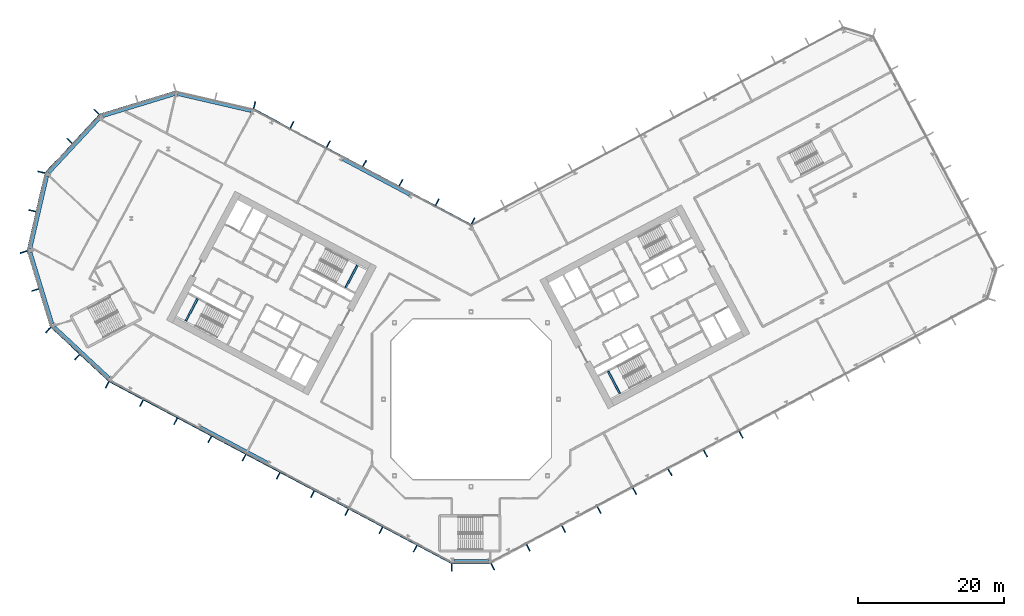
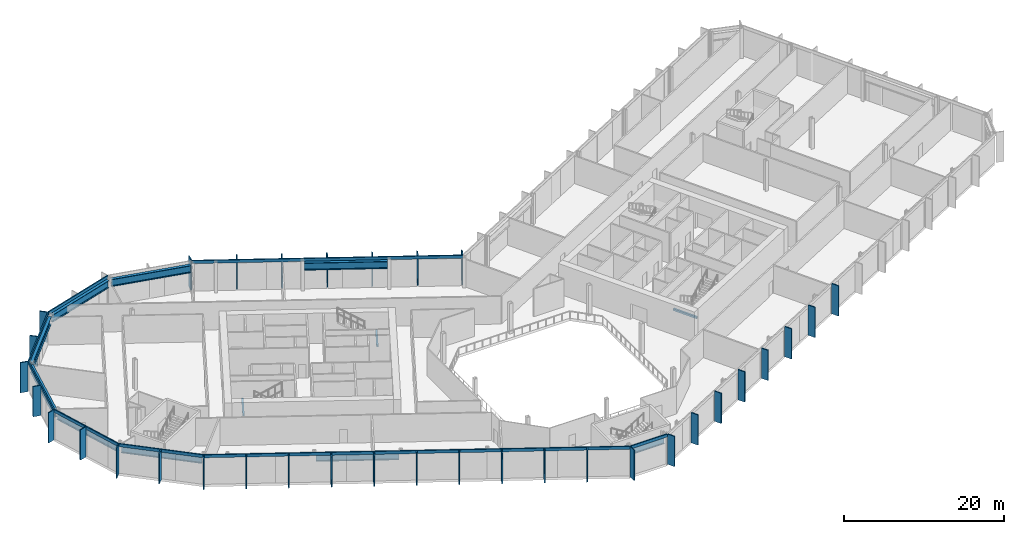
# One storey, part 7 of 31: 42 members, 12 beams, 10 elements without a shape of their own.
"""IFC4 building model written with IfcOpenShell, lengths in metres."""

from ifc_helpers import new_model, si_unit, direction, frame, origin, origin_2d, place, context, subcontext, project, spatial, rectangle, i_section, extrude, material, layer, layer_set, material_profile, profile_set, type_object, element, aggregate, save


model = new_model("IFC4")

# Units and contexts
model_context = context("Model", 3, precision=1e-05, world=origin(), true_north=direction((0.0, 1.0)))
body_context = subcontext(model_context, "Body", "Model", "MODEL_VIEW")
ifc_project = project(units=[si_unit("LENGTHUNIT", "METRE"), si_unit("AREAUNIT", "SQUARE_METRE"), si_unit("VOLUMEUNIT", "CUBIC_METRE"), si_unit("PLANEANGLEUNIT", "RADIAN"), si_unit("MASSUNIT", "GRAM", prefix="KILO")], contexts=[model_context])

# Site, building, storey
site_placement = place(None, origin())
site = spatial("IfcSite", under=ifc_project, at=site_placement, CompositionType="ELEMENT")
building_placement = place(site_placement, origin())
building = spatial("IfcBuilding", under=site, at=building_placement, Name="Cormorant Relay Tower", CompositionType="ELEMENT")
storey_placement = place(building_placement, frame((0.0, 0.0, 93.800048828125)))
storey = spatial("IfcBuildingStorey", under=building, at=storey_placement, Name="L18", CompositionType="ELEMENT", Elevation=93.800048828125)

# Curtain wall, member
ifc_material_1 = material(Name="Aluminium 6063-T6 anodised bronze", Category="aluminium")
ifc_layer = layer(ifc_material_1, 0.199951171875)
ifc_layer_set = layer_set([ifc_layer], Name="CW1 unitised bronze curtain wall with vertical fins")
curtain_wall_type = type_object("IfcCurtainWallType", Name="CW1 unitised bronze curtain wall with vertical fins", PredefinedType="NOTDEFINED", material=ifc_layer_set)
curtain_wall_1_placement = place(storey_placement, origin())
curtain_wall_1 = element("IfcCurtainWall", 1, at=curtain_wall_1_placement, inside=storey, type_object=curtain_wall_type, Name="CW1 curtain wall 1", PredefinedType="NOTDEFINED")
ifc_material_2 = material(Name="Aluminium 6063-T6 anodised bronze", Category="aluminium")
ifc_material_profile_1 = material_profile(ifc_material_2, rectangle(XDim=0.14990234375, YDim=1.0, at=origin_2d()), Name="AL 150x1000")
ifc_profile_set_1 = profile_set([ifc_material_profile_1], Name="Aluminium 6063-T6 anodised bronze")
member_type_1 = type_object("IfcMemberType", Name="CW1 bronze fin mullion 150 x 1000", PredefinedType="MULLION", material=ifc_profile_set_1)
member_1_placement = place(storey_placement, frame((-2.648681640625, -23.07568359375, 0.0), z_axis=(0.0, 0.0, 1.0), x_axis=(1.0, 0.0, 0.0)))
member_1 = element("IfcMember", 2, at=member_1_placement, type_object=member_type_1, Name="CW1 fin 1.1", PredefinedType="MULLION", context=body_context, shape_type="SweptSolid", body=[
    extrude(rectangle(XDim=0.14990234375, YDim=1.0, at=origin_2d()), origin(), (0.0, 0.0, 1.0), 4.599853515625),
])

# Curtain wall, members
curtain_wall_2_placement = place(storey_placement, origin())
curtain_wall_2 = element("IfcCurtainWall", 3, at=curtain_wall_2_placement, inside=storey, type_object=curtain_wall_type, Name="CW1 curtain wall 2", PredefinedType="NOTDEFINED")
member_2_placement = place(storey_placement, frame((2.9775390625, -22.99365234375, 0.0), z_axis=(0.0, 0.0, 1.0), x_axis=(0.882947592859, 0.469471562786, 0.0)))
member_2 = element("IfcMember", 4, at=member_2_placement, type_object=member_type_1, Name="CW1 fin 2.1", PredefinedType="MULLION", context=body_context, shape_type="SweptSolid", body=[
    extrude(rectangle(XDim=0.14990234375, YDim=1.0, at=origin_2d()), origin(), (0.0, 0.0, 1.0), 4.599853515625),
])
member_3_placement = place(storey_placement, frame((7.843994140625, -20.406005859375, 0.0), z_axis=(0.0, 0.0, 1.0), x_axis=(0.882947592859, 0.469471562786, 0.0)))
member_3 = element("IfcMember", 5, at=member_3_placement, type_object=member_type_1, Name="CW1 fin 2.2", PredefinedType="MULLION", context=body_context, shape_type="SweptSolid", body=[
    extrude(rectangle(XDim=0.14990234375, YDim=1.0, at=origin_2d()), origin(), (0.0, 0.0, 1.0), 4.599853515625),
])
member_4_placement = place(storey_placement, frame((12.710693359375, -17.818359375, 0.0), z_axis=(0.0, 0.0, 1.0), x_axis=(0.882947592859, 0.469471562786, 0.0)))
member_4 = element("IfcMember", 6, at=member_4_placement, type_object=member_type_1, Name="CW1 fin 2.3", PredefinedType="MULLION", context=body_context, shape_type="SweptSolid", body=[
    extrude(rectangle(XDim=0.14990234375, YDim=1.0, at=origin_2d()), origin(), (0.0, 0.0, 1.0), 4.599853515625),
])
member_5_placement = place(storey_placement, frame((17.577392578125, -15.230712890625, 0.0), z_axis=(0.0, 0.0, 1.0), x_axis=(0.882947592859, 0.469471562786, 0.0)))
member_5 = element("IfcMember", 7, at=member_5_placement, type_object=member_type_1, Name="CW1 fin 2.4", PredefinedType="MULLION", context=body_context, shape_type="SweptSolid", body=[
    extrude(rectangle(XDim=0.14990234375, YDim=1.0, at=origin_2d()), origin(), (0.0, 0.0, 1.0), 4.599853515625),
])
member_6_placement = place(storey_placement, frame((22.444091796875, -12.64306640625, 0.0), z_axis=(0.0, 0.0, 1.0), x_axis=(0.882947592859, 0.469471562786, 0.0)))
member_6 = element("IfcMember", 8, at=member_6_placement, type_object=member_type_1, Name="CW1 fin 2.5", PredefinedType="MULLION", context=body_context, shape_type="SweptSolid", body=[
    extrude(rectangle(XDim=0.14990234375, YDim=1.0, at=origin_2d()), origin(), (0.0, 0.0, 1.0), 4.599853515625),
])
member_7_placement = place(storey_placement, frame((27.310791015625, -10.055419921875, 0.0), z_axis=(0.0, 0.0, 1.0), x_axis=(0.882947592859, 0.469471562786, 0.0)))
member_7 = element("IfcMember", 9, at=member_7_placement, type_object=member_type_1, Name="CW1 fin 2.6", PredefinedType="MULLION", context=body_context, shape_type="SweptSolid", body=[
    extrude(rectangle(XDim=0.14990234375, YDim=1.0, at=origin_2d()), origin(), (0.0, 0.0, 1.0), 4.599853515625),
])
member_8_placement = place(storey_placement, frame((32.177490234375, -7.4677734375, 0.0), z_axis=(0.0, 0.0, 1.0), x_axis=(0.882947592859, 0.469471562786, 0.0)))
member_8 = element("IfcMember", 10, at=member_8_placement, type_object=member_type_1, Name="CW1 fin 2.7", PredefinedType="MULLION", context=body_context, shape_type="SweptSolid", body=[
    extrude(rectangle(XDim=0.14990234375, YDim=1.0, at=origin_2d()), origin(), (0.0, 0.0, 1.0), 4.599853515625),
])
member_9_placement = place(storey_placement, frame((37.044189453125, -4.8798828125, 0.0), z_axis=(0.0, 0.0, 1.0), x_axis=(0.882947592859, 0.469471562786, 0.0)))
member_9 = element("IfcMember", 11, at=member_9_placement, type_object=member_type_1, Name="CW1 fin 2.8", PredefinedType="MULLION", context=body_context, shape_type="SweptSolid", body=[
    extrude(rectangle(XDim=0.14990234375, YDim=1.0, at=origin_2d()), origin(), (0.0, 0.0, 1.0), 4.599853515625),
])
aggregate(curtain_wall_2, [member_2, member_3, member_4, member_5, member_6, member_7, member_8, member_9])

curtain_wall_3_placement = place(storey_placement, origin())
curtain_wall_3 = element("IfcCurtainWall", 12, at=curtain_wall_3_placement, inside=storey, type_object=curtain_wall_type, Name="CW1 curtain wall 7", PredefinedType="NOTDEFINED")
member_10_placement = place(storey_placement, frame((0.262451171875, 24.437255859375, 0.0), z_axis=(0.0, 0.0, 1.0), x_axis=(-0.882947592859, 0.469471562786, 0.0)))
member_10 = element("IfcMember", 13, at=member_10_placement, type_object=member_type_1, Name="CW1 fin 7.1", PredefinedType="MULLION", context=body_context, shape_type="SweptSolid", body=[
    extrude(rectangle(XDim=0.14990234375, YDim=1.0, at=origin_2d()), origin(), (0.0, 0.0, 1.0), 4.599853515625),
])
member_11_placement = place(storey_placement, frame((-4.650390625, 27.04931640625, 0.0), z_axis=(0.0, 0.0, 1.0), x_axis=(-0.882947592859, 0.469471562786, 0.0)))
member_11 = element("IfcMember", 14, at=member_11_placement, type_object=member_type_1, Name="CW1 fin 7.2", PredefinedType="MULLION", context=body_context, shape_type="SweptSolid", body=[
    extrude(rectangle(XDim=0.14990234375, YDim=1.0, at=origin_2d()), origin(), (0.0, 0.0, 1.0), 4.599853515625),
])
member_12_placement = place(storey_placement, frame((-9.62939453125, 29.69677734375, 0.0), z_axis=(0.0, 0.0, 1.0), x_axis=(-0.882947592859, 0.469471562786, 0.0)))
member_12 = element("IfcMember", 15, at=member_12_placement, type_object=member_type_1, Name="CW1 fin 7.3", PredefinedType="MULLION", context=body_context, shape_type="SweptSolid", body=[
    extrude(rectangle(XDim=0.14990234375, YDim=1.0, at=origin_2d()), origin(), (0.0, 0.0, 1.0), 4.599853515625),
])
member_13_placement = place(storey_placement, frame((-14.608154296875, 32.343994140625, 0.0), z_axis=(0.0, 0.0, 1.0), x_axis=(-0.882947592859, 0.469471562786, 0.0)))
member_13 = element("IfcMember", 16, at=member_13_placement, type_object=member_type_1, Name="CW1 fin 7.4", PredefinedType="MULLION", context=body_context, shape_type="SweptSolid", body=[
    extrude(rectangle(XDim=0.14990234375, YDim=1.0, at=origin_2d()), origin(), (0.0, 0.0, 1.0), 4.599853515625),
])
member_14_placement = place(storey_placement, frame((-19.587158203125, 34.991455078125, 0.0), z_axis=(0.0, 0.0, 1.0), x_axis=(-0.882947592859, 0.469471562786, 0.0)))
member_14 = element("IfcMember", 17, at=member_14_placement, type_object=member_type_1, Name="CW1 fin 7.5", PredefinedType="MULLION", context=body_context, shape_type="SweptSolid", body=[
    extrude(rectangle(XDim=0.14990234375, YDim=1.0, at=origin_2d()), origin(), (0.0, 0.0, 1.0), 4.599853515625),
])
member_15_placement = place(storey_placement, frame((-24.566162109375, 37.638916015625, 0.0), z_axis=(0.0, 0.0, 1.0), x_axis=(-0.882947592859, 0.469471562786, 0.0)))
member_15 = element("IfcMember", 18, at=member_15_placement, type_object=member_type_1, Name="CW1 fin 7.6", PredefinedType="MULLION", context=body_context, shape_type="SweptSolid", body=[
    extrude(rectangle(XDim=0.14990234375, YDim=1.0, at=origin_2d()), origin(), (0.0, 0.0, 1.0), 4.599853515625),
])

# Curtain wall, member
curtain_wall_4_placement = place(storey_placement, origin())
curtain_wall_4 = element("IfcCurtainWall", 19, at=curtain_wall_4_placement, inside=storey, type_object=curtain_wall_type, Name="CW1 curtain wall 8", PredefinedType="NOTDEFINED")
member_16_placement = place(storey_placement, frame((-29.71630859375, 40.35009765625, 0.0), z_axis=(0.0, 0.0, 1.0), x_axis=(-0.974370064785, 0.224951054344, 0.0)))
member_16 = element("IfcMember", 20, at=member_16_placement, type_object=member_type_1, Name="CW1 fin 8.1", PredefinedType="MULLION", context=body_context, shape_type="SweptSolid", body=[
    extrude(rectangle(XDim=0.14990234375, YDim=1.0, at=origin_2d()), origin(), (0.0, 0.0, 1.0), 4.599853515625),
])
aggregate(curtain_wall_4, [member_16])

# Curtain wall, members
curtain_wall_5_placement = place(storey_placement, origin())
curtain_wall_5 = element("IfcCurtainWall", 21, at=curtain_wall_5_placement, inside=storey, type_object=curtain_wall_type, Name="CW1 curtain wall 10", PredefinedType="NOTDEFINED")
member_17_placement = place(storey_placement, frame((-51.372802734375, 39.41259765625, 0.0), z_axis=(0.0, 0.0, 1.0), x_axis=(-0.681998360062, -0.731353701619, 0.0)))
member_17 = element("IfcMember", 22, at=member_17_placement, type_object=member_type_1, Name="CW1 fin 10.1", PredefinedType="MULLION", context=body_context, shape_type="SweptSolid", body=[
    extrude(rectangle(XDim=0.14990234375, YDim=1.0, at=origin_2d()), origin(), (0.0, 0.0, 1.0), 4.599853515625),
])
member_18_placement = place(storey_placement, frame((-55.07958984375, 35.4375, 0.0), z_axis=(0.0, 0.0, 1.0), x_axis=(-0.681998360062, -0.731353701619, 0.0)))
member_18 = element("IfcMember", 23, at=member_18_placement, type_object=member_type_1, Name="CW1 fin 10.2", PredefinedType="MULLION", context=body_context, shape_type="SweptSolid", body=[
    extrude(rectangle(XDim=0.14990234375, YDim=1.0, at=origin_2d()), origin(), (0.0, 0.0, 1.0), 4.599853515625),
])

curtain_wall_6_placement = place(storey_placement, origin())
curtain_wall_6 = element("IfcCurtainWall", 24, at=curtain_wall_6_placement, inside=storey, type_object=curtain_wall_type, Name="CW1 curtain wall 11", PredefinedType="NOTDEFINED")
member_19_placement = place(storey_placement, frame((-58.95654296875, 31.142578125, 0.0), z_axis=(0.0, 0.0, 1.0), x_axis=(-0.224951054344, -0.974370064785, 0.0)))
member_19 = element("IfcMember", 25, at=member_19_placement, type_object=member_type_1, Name="CW1 fin 11.1", PredefinedType="MULLION", context=body_context, shape_type="SweptSolid", body=[
    extrude(rectangle(XDim=0.14990234375, YDim=1.0, at=origin_2d()), origin(), (0.0, 0.0, 1.0), 4.599853515625),
])
member_20_placement = place(storey_placement, frame((-60.17919921875, 25.8466796875, 0.0), z_axis=(0.0, 0.0, 1.0), x_axis=(-0.224951054344, -0.974370064785, 0.0)))
member_20 = element("IfcMember", 26, at=member_20_placement, type_object=member_type_1, Name="CW1 fin 11.2", PredefinedType="MULLION", context=body_context, shape_type="SweptSolid", body=[
    extrude(rectangle(XDim=0.14990234375, YDim=1.0, at=origin_2d()), origin(), (0.0, 0.0, 1.0), 4.599853515625),
])

curtain_wall_7_placement = place(storey_placement, origin())
curtain_wall_7 = element("IfcCurtainWall", 27, at=curtain_wall_7_placement, inside=storey, type_object=curtain_wall_type, Name="CW1 curtain wall 12", PredefinedType="NOTDEFINED")
member_21_placement = place(storey_placement, frame((-61.389404296875, 20.188720703125, 0.0), z_axis=(0.0, 0.0, 1.0), x_axis=(0.292371704723, -0.956304755963, 0.0)))
member_21 = element("IfcMember", 28, at=member_21_placement, type_object=member_type_1, Name="CW1 fin 12.1", PredefinedType="MULLION", context=body_context, shape_type="SweptSolid", body=[
    extrude(rectangle(XDim=0.14990234375, YDim=1.0, at=origin_2d()), origin(), (0.0, 0.0, 1.0), 4.599853515625),
])
member_22_placement = place(storey_placement, frame((-59.80029296875, 14.990966796875, 0.0), z_axis=(0.0, 0.0, 1.0), x_axis=(0.292371704723, -0.956304755963, 0.0)))
member_22 = element("IfcMember", 29, at=member_22_placement, type_object=member_type_1, Name="CW1 fin 12.2", PredefinedType="MULLION", context=body_context, shape_type="SweptSolid", body=[
    extrude(rectangle(XDim=0.14990234375, YDim=1.0, at=origin_2d()), origin(), (0.0, 0.0, 1.0), 4.599853515625),
])

curtain_wall_8_placement = place(storey_placement, origin())
curtain_wall_8 = element("IfcCurtainWall", 30, at=curtain_wall_8_placement, inside=storey, type_object=curtain_wall_type, Name="CW1 curtain wall 13", PredefinedType="NOTDEFINED")
member_23_placement = place(storey_placement, frame((-58.01904296875, 9.486083984375, 0.0), z_axis=(0.0, 0.0, 1.0), x_axis=(0.731353701619, -0.681998360062, 0.0)))
member_23 = element("IfcMember", 31, at=member_23_placement, type_object=member_type_1, Name="CW1 fin 13.1", PredefinedType="MULLION", context=body_context, shape_type="SweptSolid", body=[
    extrude(rectangle(XDim=0.14990234375, YDim=1.0, at=origin_2d()), origin(), (0.0, 0.0, 1.0), 4.599853515625),
])
member_24_placement = place(storey_placement, frame((-54.0439453125, 5.779296875, 0.0), z_axis=(0.0, 0.0, 1.0), x_axis=(0.731353701619, -0.681998360062, 0.0)))
member_24 = element("IfcMember", 32, at=member_24_placement, type_object=member_type_1, Name="CW1 fin 13.2", PredefinedType="MULLION", context=body_context, shape_type="SweptSolid", body=[
    extrude(rectangle(XDim=0.14990234375, YDim=1.0, at=origin_2d()), origin(), (0.0, 0.0, 1.0), 4.599853515625),
])

curtain_wall_9_placement = place(storey_placement, origin())
curtain_wall_9 = element("IfcCurtainWall", 33, at=curtain_wall_9_placement, inside=storey, type_object=curtain_wall_type, Name="CW1 curtain wall 14", PredefinedType="NOTDEFINED")
member_25_placement = place(storey_placement, frame((-49.920166015625, 1.96630859375, 0.0), z_axis=(0.0, 0.0, 1.0), x_axis=(0.882947592859, -0.469471562786, 0.0)))
member_25 = element("IfcMember", 34, at=member_25_placement, type_object=member_type_1, Name="CW1 fin 14.1", PredefinedType="MULLION", context=body_context, shape_type="SweptSolid", body=[
    extrude(rectangle(XDim=0.14990234375, YDim=1.0, at=origin_2d()), origin(), (0.0, 0.0, 1.0), 4.599853515625),
])
member_26_placement = place(storey_placement, frame((-45.225830078125, -0.52978515625, 0.0), z_axis=(0.0, 0.0, 1.0), x_axis=(0.882947592859, -0.469471562786, 0.0)))
member_26 = element("IfcMember", 35, at=member_26_placement, type_object=member_type_1, Name="CW1 fin 14.2", PredefinedType="MULLION", context=body_context, shape_type="SweptSolid", body=[
    extrude(rectangle(XDim=0.14990234375, YDim=1.0, at=origin_2d()), origin(), (0.0, 0.0, 1.0), 4.599853515625),
])
member_27_placement = place(storey_placement, frame((-40.531494140625, -3.025634765625, 0.0), z_axis=(0.0, 0.0, 1.0), x_axis=(0.882947592859, -0.469471562786, 0.0)))
member_27 = element("IfcMember", 36, at=member_27_placement, type_object=member_type_1, Name="CW1 fin 14.3", PredefinedType="MULLION", context=body_context, shape_type="SweptSolid", body=[
    extrude(rectangle(XDim=0.14990234375, YDim=1.0, at=origin_2d()), origin(), (0.0, 0.0, 1.0), 4.599853515625),
])
member_28_placement = place(storey_placement, frame((-35.83740234375, -5.521728515625, 0.0), z_axis=(0.0, 0.0, 1.0), x_axis=(0.882947592859, -0.469471562786, 0.0)))
member_28 = element("IfcMember", 37, at=member_28_placement, type_object=member_type_1, Name="CW1 fin 14.4", PredefinedType="MULLION", context=body_context, shape_type="SweptSolid", body=[
    extrude(rectangle(XDim=0.14990234375, YDim=1.0, at=origin_2d()), origin(), (0.0, 0.0, 1.0), 4.599853515625),
])
member_29_placement = place(storey_placement, frame((-31.14306640625, -8.017578125, 0.0), z_axis=(0.0, 0.0, 1.0), x_axis=(0.882947592859, -0.469471562786, 0.0)))
member_29 = element("IfcMember", 38, at=member_29_placement, type_object=member_type_1, Name="CW1 fin 14.5", PredefinedType="MULLION", context=body_context, shape_type="SweptSolid", body=[
    extrude(rectangle(XDim=0.14990234375, YDim=1.0, at=origin_2d()), origin(), (0.0, 0.0, 1.0), 4.599853515625),
])
member_30_placement = place(storey_placement, frame((-26.44873046875, -10.513671875, 0.0), z_axis=(0.0, 0.0, 1.0), x_axis=(0.882947592859, -0.469471562786, 0.0)))
member_30 = element("IfcMember", 39, at=member_30_placement, type_object=member_type_1, Name="CW1 fin 14.6", PredefinedType="MULLION", context=body_context, shape_type="SweptSolid", body=[
    extrude(rectangle(XDim=0.14990234375, YDim=1.0, at=origin_2d()), origin(), (0.0, 0.0, 1.0), 4.599853515625),
])
member_31_placement = place(storey_placement, frame((-21.754638671875, -13.009765625, 0.0), z_axis=(0.0, 0.0, 1.0), x_axis=(0.882947592859, -0.469471562786, 0.0)))
member_31 = element("IfcMember", 40, at=member_31_placement, type_object=member_type_1, Name="CW1 fin 14.7", PredefinedType="MULLION", context=body_context, shape_type="SweptSolid", body=[
    extrude(rectangle(XDim=0.14990234375, YDim=1.0, at=origin_2d()), origin(), (0.0, 0.0, 1.0), 4.599853515625),
])
member_32_placement = place(storey_placement, frame((-17.060302734375, -15.505615234375, 0.0), z_axis=(0.0, 0.0, 1.0), x_axis=(0.882947592859, -0.469471562786, 0.0)))
member_32 = element("IfcMember", 41, at=member_32_placement, type_object=member_type_1, Name="CW1 fin 14.8", PredefinedType="MULLION", context=body_context, shape_type="SweptSolid", body=[
    extrude(rectangle(XDim=0.14990234375, YDim=1.0, at=origin_2d()), origin(), (0.0, 0.0, 1.0), 4.599853515625),
])
member_33_placement = place(storey_placement, frame((-12.365966796875, -18.001708984375, 0.0), z_axis=(0.0, 0.0, 1.0), x_axis=(0.882947592859, -0.469471562786, 0.0)))
member_33 = element("IfcMember", 42, at=member_33_placement, type_object=member_type_1, Name="CW1 fin 14.9", PredefinedType="MULLION", context=body_context, shape_type="SweptSolid", body=[
    extrude(rectangle(XDim=0.14990234375, YDim=1.0, at=origin_2d()), origin(), (0.0, 0.0, 1.0), 4.599853515625),
])
member_34_placement = place(storey_placement, frame((-7.671630859375, -20.49755859375, 0.0), z_axis=(0.0, 0.0, 1.0), x_axis=(0.882947592859, -0.469471562786, 0.0)))
member_34 = element("IfcMember", 43, at=member_34_placement, type_object=member_type_1, Name="CW1 fin 14.10", PredefinedType="MULLION", context=body_context, shape_type="SweptSolid", body=[
    extrude(rectangle(XDim=0.14990234375, YDim=1.0, at=origin_2d()), origin(), (0.0, 0.0, 1.0), 4.599853515625),
])

# Member
ifc_material_3 = material(Name="Aluminium 6063-T6 anodised bronze", Category="aluminium")
ifc_material_profile_2 = material_profile(ifc_material_3, rectangle(XDim=0.159912109375, YDim=0.449951171875, at=origin_2d()), Name="AL 160x450")
ifc_profile_set_2 = profile_set([ifc_material_profile_2], Name="Aluminium 6063-T6 anodised bronze")
member_type_2 = type_object("IfcMemberType", Name="CW1 bronze transom 160 x 450", PredefinedType="USERDEFINED", material=ifc_profile_set_2)
member_35_placement = place(storey_placement, frame((-2.648681640625, -22.49560546875, 4.375), z_axis=(1.0, 0.0, 0.0), x_axis=(0.0, 1.0, 0.0)))
member_35 = element("IfcMember", 44, at=member_35_placement, type_object=member_type_2, Name="CW1 transom 1", ObjectType="TRANSOM", PredefinedType="USERDEFINED", context=body_context, shape_type="SweptSolid", body=[
    extrude(rectangle(XDim=0.159912109375, YDim=0.449951171875, at=origin_2d()), origin(), (0.0, 0.0, 1.0), 5.29736328125),
])

aggregate(curtain_wall_1, [member_1, member_35])

member_36_placement = place(storey_placement, frame((0.056396484375, 23.889892578125, 4.375), z_axis=(-0.882946280328, 0.46947403129, 0.0), x_axis=(-0.46947403129, -0.882946280328, 0.0)))
member_36 = element("IfcMember", 45, at=member_36_placement, type_object=member_type_2, Name="CW1 transom 7", ObjectType="TRANSOM", PredefinedType="USERDEFINED", context=body_context, shape_type="SweptSolid", body=[
    extrude(rectangle(XDim=0.159912109375, YDim=0.449951171875, at=origin_2d()), origin(), (0.0, 0.0, 1.0), 33.834228515625),
])

aggregate(curtain_wall_3, [member_10, member_11, member_12, member_13, member_14, member_15, member_36])

# Curtain wall, member
curtain_wall_10_placement = place(storey_placement, origin())
curtain_wall_10 = element("IfcCurtainWall", 46, at=curtain_wall_10_placement, inside=storey, type_object=curtain_wall_type, Name="CW1 curtain wall 9", PredefinedType="NOTDEFINED")
member_37_placement = place(storey_placement, frame((-40.50048828125, 42.228271484375, 4.375), z_axis=(-0.956304833932, -0.292371449698, 0.0), x_axis=(0.292371449698, -0.956304833932, 0.0)))
member_37 = element("IfcMember", 47, at=member_37_placement, type_object=member_type_2, Name="CW1 transom 9", ObjectType="TRANSOM", PredefinedType="USERDEFINED", context=body_context, shape_type="SweptSolid", body=[
    extrude(rectangle(XDim=0.159912109375, YDim=0.449951171875, at=origin_2d()), origin(), (0.0, 0.0, 1.0), 10.87060546875),
])
aggregate(curtain_wall_10, [member_37])

# Member
member_38_placement = place(storey_placement, frame((-50.94873046875, 39.01708984375, 4.375), z_axis=(-0.681993299437, -0.731358420696, 0.0), x_axis=(0.731358420696, -0.681993299437, 0.0)))
member_38 = element("IfcMember", 48, at=member_38_placement, type_object=member_type_2, Name="CW1 transom 10", ObjectType="TRANSOM", PredefinedType="USERDEFINED", context=body_context, shape_type="SweptSolid", body=[
    extrude(rectangle(XDim=0.159912109375, YDim=0.449951171875, at=origin_2d()), origin(), (0.0, 0.0, 1.0), 10.870361328125),
])

aggregate(curtain_wall_5, [member_17, member_18, member_38])

member_39_placement = place(storey_placement, frame((-58.3916015625, 31.01220703125, 4.375), z_axis=(-0.22495136131, -0.974369993916, 0.0), x_axis=(0.974369993916, -0.22495136131, 0.0)))
member_39 = element("IfcMember", 49, at=member_39_placement, type_object=member_type_2, Name="CW1 transom 11", ObjectType="TRANSOM", PredefinedType="USERDEFINED", context=body_context, shape_type="SweptSolid", body=[
    extrude(rectangle(XDim=0.159912109375, YDim=0.449951171875, at=origin_2d()), origin(), (0.0, 0.0, 1.0), 10.870361328125),
])

aggregate(curtain_wall_6, [member_19, member_20, member_39])

member_40_placement = place(storey_placement, frame((-60.834716796875, 20.358154296875, 4.375), z_axis=(0.292377729282, -0.95630291405, 0.0), x_axis=(0.95630291405, 0.292377729282, 0.0)))
member_40 = element("IfcMember", 50, at=member_40_placement, type_object=member_type_2, Name="CW1 transom 12", ObjectType="TRANSOM", PredefinedType="USERDEFINED", context=body_context, shape_type="SweptSolid", body=[
    extrude(rectangle(XDim=0.159912109375, YDim=0.449951171875, at=origin_2d()), origin(), (0.0, 0.0, 1.0), 10.870361328125),
])

aggregate(curtain_wall_7, [member_21, member_22, member_40])

member_41_placement = place(storey_placement, frame((-57.62353515625, 9.91015625, 4.375), z_axis=(0.731358420696, -0.681993299437, 0.0), x_axis=(0.681993299437, 0.731358420696, 0.0)))
member_41 = element("IfcMember", 51, at=member_41_placement, type_object=member_type_2, Name="CW1 transom 13", ObjectType="TRANSOM", PredefinedType="USERDEFINED", context=body_context, shape_type="SweptSolid", body=[
    extrude(rectangle(XDim=0.159912109375, YDim=0.449951171875, at=origin_2d()), origin(), (0.0, 0.0, 1.0), 10.870361328125),
])

aggregate(curtain_wall_8, [member_23, member_24, member_41])

member_42_placement = place(storey_placement, frame((-49.64794921875, 2.478515625, 4.375), z_axis=(0.882947642542, -0.469471469346, 0.0), x_axis=(0.469471469346, 0.882947642542, 0.0)))
member_42 = element("IfcMember", 52, at=member_42_placement, type_object=member_type_2, Name="CW1 transom 14", ObjectType="TRANSOM", PredefinedType="USERDEFINED", context=body_context, shape_type="SweptSolid", body=[
    extrude(rectangle(XDim=0.159912109375, YDim=0.449951171875, at=origin_2d()), origin(), (0.0, 0.0, 1.0), 53.166015625),
])

aggregate(curtain_wall_9, [member_25, member_26, member_27, member_28, member_29, member_30, member_31, member_32, member_33, member_34, member_42])

# Beams
ifc_material_4 = material(Name="Steel ASTM A992 (Fy 345 MPa)", Category="steel")
ifc_material_profile_3 = material_profile(ifc_material_4, i_section(OverallWidth=0.40380859375, OverallDepth=1.11767578125, WebThickness=0.026123046875, FlangeThickness=0.044921875, FilletRadius=0.02001953125, at=origin_2d()), Name="W1100x499")
ifc_profile_set_3 = profile_set([ifc_material_profile_3], Name="Steel ASTM A992 (Fy 345 MPa)")
beam_type_1 = type_object("IfcBeamType", Name="Spandrel W1100x499", PredefinedType="SPANDREL", material=ifc_profile_set_3)
beam_1_placement = place(storey_placement, frame((-2.3486328125, -22.173583984375, 3.64111328125), z_axis=(1.0, 0.0, 0.0), x_axis=(0.0, 1.0, 0.0)))
element("IfcBeam", 53, at=beam_1_placement, inside=storey, type_object=beam_type_1, Name="Spandrel beam L18-001", PredefinedType="SPANDREL", context=body_context, shape_type="SweptSolid", body=[
    extrude(i_section(OverallWidth=0.40380859375, OverallDepth=1.11767578125, WebThickness=0.026123046875, FlangeThickness=0.044921875, FilletRadius=0.02001953125, at=origin_2d()), origin(), (0.0, 0.0, 1.0), 4.736083984375),
])
beam_2_placement = place(storey_placement, frame((-8.435302734375, 28.040283203125, 3.64111328125), z_axis=(-0.882946891921, 0.469472881056, 0.0), x_axis=(-0.469472881056, -0.882946891921, 0.0)))
element("IfcBeam", 54, at=beam_2_placement, inside=storey, type_object=beam_type_1, Name="Spandrel beam L18-007", PredefinedType="SPANDREL", context=body_context, shape_type="SweptSolid", body=[
    extrude(i_section(OverallWidth=0.40380859375, OverallDepth=1.11767578125, WebThickness=0.026123046875, FlangeThickness=0.044921875, FilletRadius=0.02001953125, at=origin_2d()), origin(), (0.0, 0.0, 1.0), 10.376220703125),
])
beam_3_placement = place(storey_placement, frame((-30.171142578125, 39.529541015625, 3.64111328125), z_axis=(-0.974368523335, 0.224957730996, 0.0), x_axis=(-0.224957730996, -0.974368523335, 0.0)))
element("IfcBeam", 55, at=beam_3_placement, inside=storey, type_object=beam_type_1, Name="Spandrel beam L18-008", PredefinedType="SPANDREL", context=body_context, shape_type="SweptSolid", body=[
    extrude(i_section(OverallWidth=0.40380859375, OverallDepth=1.11767578125, WebThickness=0.026123046875, FlangeThickness=0.044921875, FilletRadius=0.02001953125, at=origin_2d()), origin(), (0.0, 0.0, 1.0), 10.346923828125),
])
beam_4_placement = place(storey_placement, frame((-40.70166015625, 41.830078125, 3.64111328125), z_axis=(-0.956304442866, -0.292372728814, 0.0), x_axis=(0.292372728814, -0.956304442866, 0.0)))
element("IfcBeam", 56, at=beam_4_placement, inside=storey, type_object=beam_type_1, Name="Spandrel beam L18-009", PredefinedType="SPANDREL", context=body_context, shape_type="SweptSolid", body=[
    extrude(i_section(OverallWidth=0.40380859375, OverallDepth=1.11767578125, WebThickness=0.026123046875, FlangeThickness=0.044921875, FilletRadius=0.02001953125, at=origin_2d()), origin(), (0.0, 0.0, 1.0), 10.297607421875),
])
for number, where, z_axis, x_axis, name in (
    (57, (-50.924072265625, 38.571533203125, 3.64111328125), (-0.681993790146, -0.731357963108, 0.0), (0.731357963108, -0.681993790146, 0.0), "Spandrel beam L18-010"),
    (58, (-58.147216796875, 30.638671875, 3.64111328125), (-0.224939161738, -0.974372810333, 0.0), (0.974372810333, -0.224939161738, 0.0), "Spandrel beam L18-011"),
):
    element("IfcBeam", number, at=place(storey_placement, frame(where, z_axis=z_axis, x_axis=x_axis)), inside=storey, type_object=beam_type_1, Name=name, PredefinedType="SPANDREL", context=body_context, shape_type="SweptSolid", body=[
        extrude(i_section(OverallWidth=0.40380859375, OverallDepth=1.11767578125, WebThickness=0.026123046875, FlangeThickness=0.044921875, FilletRadius=0.02001953125, at=origin_2d()), origin(), (0.0, 0.0, 1.0), 10.296875),
    ])
beam_5_placement = place(storey_placement, frame((-60.4365234375, 20.1572265625, 3.64111328125), z_axis=(0.292372728814, -0.956304442866, 0.0), x_axis=(0.956304442866, 0.292372728814, 0.0)))
element("IfcBeam", 59, at=beam_5_placement, inside=storey, type_object=beam_type_1, Name="Spandrel beam L18-012", PredefinedType="SPANDREL", context=body_context, shape_type="SweptSolid", body=[
    extrude(i_section(OverallWidth=0.40380859375, OverallDepth=1.11767578125, WebThickness=0.026123046875, FlangeThickness=0.044921875, FilletRadius=0.02001953125, at=origin_2d()), origin(), (0.0, 0.0, 1.0), 10.297607421875),
])
beam_6_placement = place(storey_placement, frame((-57.177734375, 9.934814453125, 3.64111328125), z_axis=(0.731345431457, -0.682007228617, 0.0), x_axis=(0.682007228617, 0.731345431457, 0.0)))
element("IfcBeam", 60, at=beam_6_placement, inside=storey, type_object=beam_type_1, Name="Spandrel beam L18-013", PredefinedType="SPANDREL", context=body_context, shape_type="SweptSolid", body=[
    extrude(i_section(OverallWidth=0.40380859375, OverallDepth=1.11767578125, WebThickness=0.026123046875, FlangeThickness=0.044921875, FilletRadius=0.02001953125, at=origin_2d()), origin(), (0.0, 0.0, 1.0), 10.322265625),
])
beam_7_placement = place(storey_placement, frame((-37.124755859375, -3.815673828125, 3.64111328125), z_axis=(0.882946891921, -0.469472881056, 0.0), x_axis=(0.469472881056, 0.882946891921, 0.0)))
element("IfcBeam", 61, at=beam_7_placement, inside=storey, type_object=beam_type_1, Name="Spandrel beam L18-014", PredefinedType="SPANDREL", context=body_context, shape_type="SweptSolid", body=[
    extrude(i_section(OverallWidth=0.40380859375, OverallDepth=1.11767578125, WebThickness=0.026123046875, FlangeThickness=0.044921875, FilletRadius=0.02001953125, at=origin_2d()), origin(), (0.0, 0.0, 1.0), 10.376220703125),
])
ifc_material_5 = material(Name="Concrete 50 MPa", Category="concrete")
ifc_material_profile_4 = material_profile(ifc_material_5, rectangle(XDim=0.25, YDim=0.300048828125, at=origin_2d()), Name="RC 250x300")
ifc_profile_set_4 = profile_set([ifc_material_profile_4], Name="Concrete 50 MPa")
beam_type_2 = type_object("IfcBeamType", Name="Stair landing ledge beam 250x300", PredefinedType="BEAM", material=ifc_profile_set_4)
beam_8_placement = place(storey_placement, frame((-17.215087890625, 15.325927734375, 1.949951171875), z_axis=(0.469519084434, 0.88292232351, 0.0), x_axis=(-0.88292232351, 0.469519084434, 0.0)))
element("IfcBeam", 62, at=beam_8_placement, inside=storey, type_object=beam_type_2, Name="A1 landing ledge beam", PredefinedType="BEAM", context=body_context, shape_type="SweptSolid", body=[
    extrude(rectangle(XDim=0.25, YDim=0.300048828125, at=origin_2d()), origin(), (0.0, 0.0, 1.0), 3.449951171875),
])
for number, where, z_axis, x_axis, name in (
    (63, (-37.52783203125, 13.781494140625, 1.949951171875), (-0.469434585424, -0.882967253078, 0.0), (0.882967253078, -0.469434585424, 0.0), "A2 landing ledge beam"),
    (64, (18.80029296875, 3.823974609375, 1.949951171875), (0.469489750874, -0.88293792184, 0.0), (0.88293792184, 0.469489750874, 0.0), "B1 landing ledge beam"),
):
    element("IfcBeam", number, at=place(storey_placement, frame(where, z_axis=z_axis, x_axis=x_axis)), inside=storey, type_object=beam_type_2, Name=name, PredefinedType="BEAM", context=body_context, shape_type="SweptSolid", body=[
        extrude(rectangle(XDim=0.25, YDim=0.300048828125, at=origin_2d()), origin(), (0.0, 0.0, 1.0), 3.4501953125),
    ])

save(model, "model.ifc")
